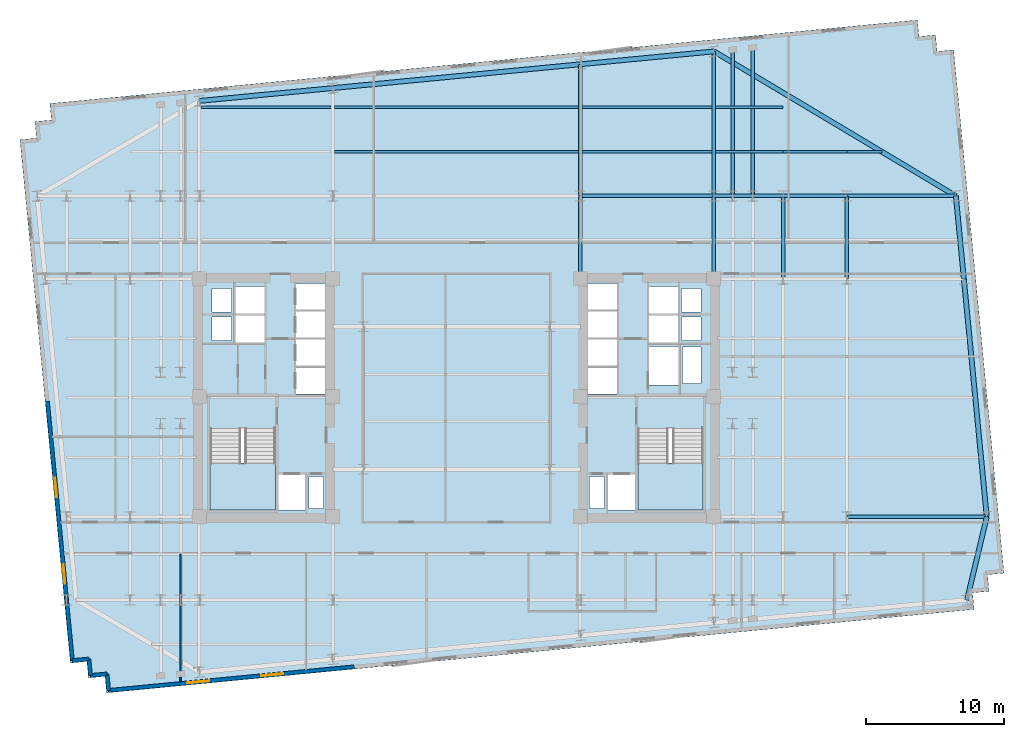
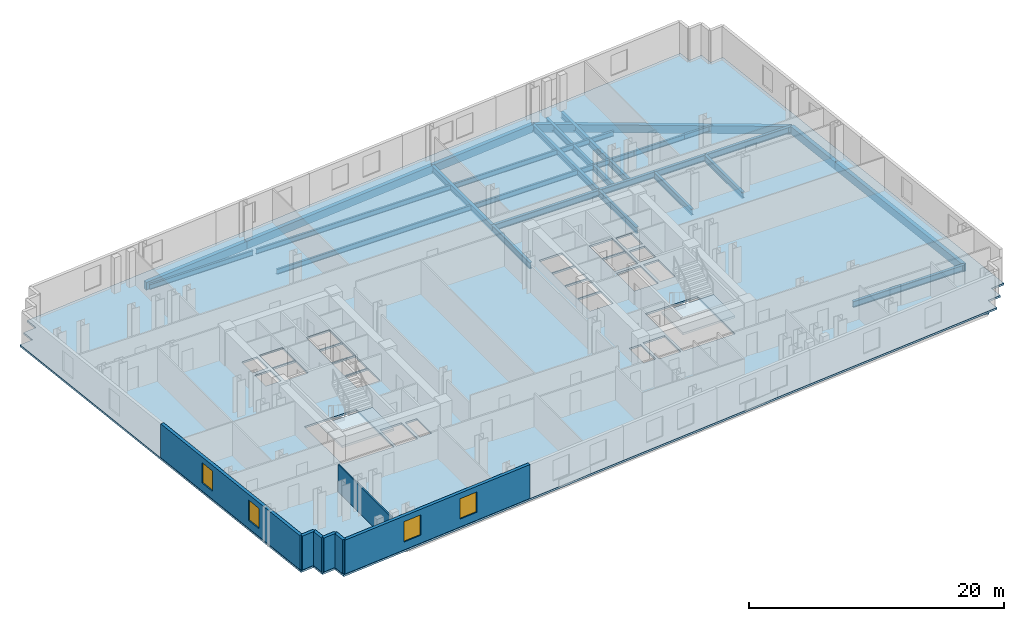
# One storey, part 3 of 10: 29 beams, 7 walls, 4 windows, 3 slabs, 4 openings, 2 elements without a shape of their own.
"""IFC4 building model written with IfcOpenShell, lengths in metres."""

from ifc_helpers import new_model, si_unit, direction, frame, frame_2d, origin, origin_2d, place, context, subcontext, project, spatial, polyline, rectangle, i_section, outline, extrude, material, layer, layer_set, material_profile, profile_set, type_object, element, fill, aggregate, save


model = new_model("IFC4")

# Units and contexts
model_context = context("Model", 3, precision=1e-05, world=origin(), true_north=direction((0.0, 1.0)))
body_context = subcontext(model_context, "Body", "Model", "MODEL_VIEW")
ifc_project = project(units=[si_unit("LENGTHUNIT", "METRE"), si_unit("AREAUNIT", "SQUARE_METRE"), si_unit("VOLUMEUNIT", "CUBIC_METRE"), si_unit("PLANEANGLEUNIT", "RADIAN"), si_unit("MASSUNIT", "GRAM", prefix="KILO")], contexts=[model_context])

# Site, building, storey
site_placement = place(None, origin())
site = spatial("IfcSite", under=ifc_project, at=site_placement, CompositionType="ELEMENT")
building_placement = place(site_placement, origin())
building = spatial("IfcBuilding", under=site, at=building_placement, Name="Velakula Bourse", CompositionType="ELEMENT")
storey_placement = place(building_placement, frame((0.0, 0.0, 91.449951171875)))
storey = spatial("IfcBuildingStorey", under=building, at=storey_placement, Name="L24", CompositionType="ELEMENT", Elevation=91.449951171875)

# Beams
ifc_material_1 = material(Name="Steel IS 2062 Grade 350 (E350)", Category="steel")
ifc_material_profile_1 = material_profile(ifc_material_1, i_section(OverallWidth=0.25, OverallDepth=0.60009765625, WebThickness=0.01171875, FlangeThickness=0.023681640625, at=origin_2d()), Name="Steel IS 2062 Grade 350 (E350)")
ifc_profile_set_1 = profile_set([ifc_material_profile_1], Name="Steel IS 2062 Grade 350 (E350)")
beam_type_1 = type_object("IfcBeamType", Name="BM-GRD-600H", PredefinedType="BEAM", material=ifc_profile_set_1)
for number, where, z_axis, x_axis, name in (
    (1, (8.949951171875, 8.60009765625, -0.47998046875), (0.0, 1.0, 0.0), (-1.0, 0.0, 0.0), "L24 Fulcrum Grid Girder FLC-ECN"),
    (2, (18.60009765625, 8.60009765625, -0.47998046875), (0.0, 1.0, 0.0), (-1.0, 0.0, 0.0), "L24 Fulcrum Grid Girder FLC-EN"),
):
    element("IfcBeam", number, at=place(storey_placement, frame(where, z_axis=z_axis, x_axis=x_axis)), inside=storey, type_object=beam_type_1, Name=name, PredefinedType="BEAM", context=body_context, shape_type="SweptSolid", body=[
        extrude(i_section(OverallWidth=0.25, OverallDepth=0.60009765625, WebThickness=0.01171875, FlangeThickness=0.023681640625, at=origin_2d()), origin(), (0.0, 0.0, 1.0), 6.0),
    ])
beam_1_placement = place(storey_placement, frame((8.949951171875, 14.60009765625, -0.47998046875), z_axis=(1.0, 0.0, 0.0), x_axis=(0.0, 1.0, 0.0)))
element("IfcBeam", 3, at=beam_1_placement, inside=storey, type_object=beam_type_1, Name="L24 Fulcrum Grid Girder FLC-N3", PredefinedType="BEAM", context=body_context, shape_type="SweptSolid", body=[
    extrude(i_section(OverallWidth=0.25, OverallDepth=0.60009765625, WebThickness=0.01171875, FlangeThickness=0.023681640625, at=origin_2d()), origin(), (0.0, 0.0, 1.0), 9.650146484375),
])
beam_2_placement = place(storey_placement, frame((18.60009765625, 14.60009765625, -0.47998046875), z_axis=(1.0, 0.0, 0.0), x_axis=(0.0, 1.0, 0.0)))
element("IfcBeam", 4, at=beam_2_placement, inside=storey, type_object=beam_type_1, Name="L24 Fulcrum Grid Girder MWG-EN2", PredefinedType="BEAM", context=body_context, shape_type="SweptSolid", body=[
    extrude(i_section(OverallWidth=0.25, OverallDepth=0.60009765625, WebThickness=0.01171875, FlangeThickness=0.023681640625, at=origin_2d()), origin(), (0.0, 0.0, 1.0), 5.0),
])
beam_3_placement = place(storey_placement, frame((23.60009765625, 8.60009765625, -0.47998046875), z_axis=(0.0, 1.0, 0.0), x_axis=(-1.0, 0.0, 0.0)))
element("IfcBeam", 5, at=beam_3_placement, inside=storey, type_object=beam_type_1, Name="L24 Fulcrum Grid Girder MWG-ENS3", PredefinedType="BEAM", context=body_context, shape_type="SweptSolid", body=[
    extrude(i_section(OverallWidth=0.25, OverallDepth=0.60009765625, WebThickness=0.01171875, FlangeThickness=0.023681640625, at=origin_2d()), origin(), (0.0, 0.0, 1.0), 6.0),
])
beam_4_placement = place(storey_placement, frame((23.60009765625, 14.60009765625, -0.47998046875), z_axis=(1.0, 0.0, 0.0), x_axis=(0.0, 1.0, 0.0)))
element("IfcBeam", 6, at=beam_4_placement, inside=storey, type_object=beam_type_1, Name="L24 Fulcrum Grid Girder WNG-EN2", PredefinedType="BEAM", context=body_context, shape_type="SweptSolid", body=[
    extrude(i_section(OverallWidth=0.25, OverallDepth=0.60009765625, WebThickness=0.01171875, FlangeThickness=0.023681640625, at=origin_2d()), origin(), (0.0, 0.0, 1.0), 4.599853515625),
])
beam_5_placement = place(storey_placement, frame((28.199951171875, 8.60009765625, -0.47998046875), z_axis=(0.0, 1.0, 0.0), x_axis=(-1.0, 0.0, 0.0)))
element("IfcBeam", 7, at=beam_5_placement, inside=storey, type_object=beam_type_1, Name="L24 Fulcrum Grid Girder WNG-ENS3", PredefinedType="BEAM", context=body_context, shape_type="SweptSolid", body=[
    extrude(i_section(OverallWidth=0.25, OverallDepth=0.60009765625, WebThickness=0.01171875, FlangeThickness=0.023681640625, at=origin_2d()), origin(), (0.0, 0.0, 1.0), 6.0),
])
beam_6_placement = place(storey_placement, frame((8.949951171875, 14.60009765625, -0.47998046875), z_axis=(0.0, 1.0, 0.0), x_axis=(-1.0, 0.0, 0.0)))
element("IfcBeam", 8, at=beam_6_placement, inside=storey, type_object=beam_type_1, Name="L24 Perimeter Tie Girder N3", PredefinedType="BEAM", context=body_context, shape_type="SweptSolid", body=[
    extrude(i_section(OverallWidth=0.25, OverallDepth=0.60009765625, WebThickness=0.01171875, FlangeThickness=0.023681640625, at=origin_2d()), origin(), (0.0, 0.0, 1.0), 9.521484375),
])
beam_7_placement = place(storey_placement, frame((18.60009765625, 14.60009765625, -0.47998046875), z_axis=(0.0, 1.0, 0.0), x_axis=(-1.0, 0.0, 0.0)))
element("IfcBeam", 9, at=beam_7_placement, inside=storey, type_object=beam_type_1, Name="L24 Perimeter Tie Girder N4", PredefinedType="BEAM", context=body_context, shape_type="SweptSolid", body=[
    extrude(i_section(OverallWidth=0.25, OverallDepth=0.60009765625, WebThickness=0.01171875, FlangeThickness=0.023681640625, at=origin_2d()), origin(), (0.0, 0.0, 1.0), 10.45068359375),
])
beam_8_placement = place(storey_placement, frame((28.199951171875, -8.60009765625, -0.47998046875), z_axis=(1.0, 0.0, 0.0), x_axis=(0.0, 1.0, 0.0)))
element("IfcBeam", 10, at=beam_8_placement, inside=storey, type_object=beam_type_1, Name="L24 Perimeter Tie Girder E2", PredefinedType="BEAM", context=body_context, shape_type="SweptSolid", body=[
    extrude(i_section(OverallWidth=0.25, OverallDepth=0.60009765625, WebThickness=0.01171875, FlangeThickness=0.023681640625, at=origin_2d()), origin(), (0.0, 0.0, 1.0), 10.119873046875),
])
beam_9_placement = place(storey_placement, frame((28.199951171875, 14.60009765625, -0.47998046875), z_axis=(1.0, 0.0, 0.0), x_axis=(0.0, 1.0, 0.0)))
element("IfcBeam", 11, at=beam_9_placement, inside=storey, type_object=beam_type_1, Name="L24 Perimeter Tie Girder E4", PredefinedType="BEAM", context=body_context, shape_type="SweptSolid", body=[
    extrude(i_section(OverallWidth=0.25, OverallDepth=0.60009765625, WebThickness=0.01171875, FlangeThickness=0.023681640625, at=origin_2d()), origin(), (0.0, 0.0, 1.0), 7.885986328125),
])
beam_10_placement = place(storey_placement, frame((19.949951171875, 14.60009765625, -0.47998046875), z_axis=(0.0, 1.0, 0.0), x_axis=(-1.0, 0.0, 0.0)))
element("IfcBeam", 12, at=beam_10_placement, inside=storey, type_object=beam_type_1, Name="L24 Perimeter Tie Girder P07", PredefinedType="BEAM", context=body_context, shape_type="SweptSolid", body=[
    extrude(i_section(OverallWidth=0.25, OverallDepth=0.60009765625, WebThickness=0.01171875, FlangeThickness=0.023681640625, at=origin_2d()), origin(), (0.0, 0.0, 1.0), 10.580810546875),
])
beam_11_placement = place(storey_placement, frame((21.39990234375, 14.60009765625, -0.47998046875), z_axis=(0.0, 1.0, 0.0), x_axis=(-1.0, 0.0, 0.0)))
element("IfcBeam", 13, at=beam_11_placement, inside=storey, type_object=beam_type_1, Name="L24 Perimeter Tie Girder P08", PredefinedType="BEAM", context=body_context, shape_type="SweptSolid", body=[
    extrude(i_section(OverallWidth=0.25, OverallDepth=0.60009765625, WebThickness=0.01171875, FlangeThickness=0.023681640625, at=origin_2d()), origin(), (0.0, 0.0, 1.0), 10.720458984375),
])
ifc_material_profile_2 = material_profile(ifc_material_1, i_section(OverallWidth=0.179931640625, OverallDepth=0.5, WebThickness=0.01025390625, FlangeThickness=0.01708984375, at=origin_2d()), Name="Steel IS 2062 Grade 350 (E350)")
ifc_profile_set_2 = profile_set([ifc_material_profile_2], Name="Steel IS 2062 Grade 350 (E350)")
beam_type_2 = type_object("IfcBeamType", Name="JST-TWR-500", PredefinedType="JOIST", material=ifc_profile_set_2)
beam_12_placement = place(storey_placement, frame((-8.824951171875, 17.800048828125, -0.429931640625), z_axis=(1.0, 0.0, 0.0), x_axis=(0.0, 1.0, 0.0)))
element("IfcBeam", 14, at=beam_12_placement, inside=storey, type_object=beam_type_2, Name="L24 Trading Floor Composite Joist 22", PredefinedType="JOIST", context=body_context, shape_type="SweptSolid", body=[
    extrude(i_section(OverallWidth=0.179931640625, OverallDepth=0.5, WebThickness=0.01025390625, FlangeThickness=0.01708984375, at=origin_2d()), origin(), (0.0, 0.0, 1.0), 17.64990234375),
])
beam_13_placement = place(storey_placement, frame((9.074951171875, 17.800048828125, -0.429931640625), z_axis=(1.0, 0.0, 0.0), x_axis=(0.0, 1.0, 0.0)))
element("IfcBeam", 15, at=beam_13_placement, inside=storey, type_object=beam_type_2, Name="L24 Trading Floor Composite Joist 23", PredefinedType="JOIST", context=body_context, shape_type="SweptSolid", body=[
    extrude(i_section(OverallWidth=0.179931640625, OverallDepth=0.5, WebThickness=0.01025390625, FlangeThickness=0.01708984375, at=origin_2d()), origin(), (0.0, 0.0, 1.0), 9.400146484375),
])
beam_14_placement = place(storey_placement, frame((18.72509765625, 17.800048828125, -0.429931640625), z_axis=(1.0, 0.0, 0.0), x_axis=(0.0, 1.0, 0.0)))
element("IfcBeam", 16, at=beam_14_placement, inside=storey, type_object=beam_type_2, Name="L24 Trading Floor Composite Joist 24", PredefinedType="JOIST", context=body_context, shape_type="SweptSolid", body=[
    extrude(i_section(OverallWidth=0.179931640625, OverallDepth=0.5, WebThickness=0.01025390625, FlangeThickness=0.01708984375, at=origin_2d()), origin(), (0.0, 0.0, 1.0), 4.875),
])
beam_15_placement = place(storey_placement, frame((23.60009765625, 17.800048828125, -0.429931640625), z_axis=(1.0, 0.0, 0.0), x_axis=(0.0, 1.0, 0.0)))
element("IfcBeam", 17, at=beam_15_placement, inside=storey, type_object=beam_type_2, Name="L24 Trading Floor Composite Joist 25", PredefinedType="JOIST", context=body_context, shape_type="SweptSolid", body=[
    extrude(i_section(OverallWidth=0.179931640625, OverallDepth=0.5, WebThickness=0.01025390625, FlangeThickness=0.01708984375, at=origin_2d()), origin(), (0.0, 0.0, 1.0), 4.599853515625),
])
beam_16_placement = place(storey_placement, frame((28.199951171875, 17.800048828125, -0.429931640625), z_axis=(1.0, 0.0, 0.0), x_axis=(0.0, 1.0, 0.0)))
element("IfcBeam", 18, at=beam_16_placement, inside=storey, type_object=beam_type_2, Name="L24 Trading Floor Composite Joist 26", PredefinedType="JOIST", context=body_context, shape_type="SweptSolid", body=[
    extrude(i_section(OverallWidth=0.179931640625, OverallDepth=0.5, WebThickness=0.01025390625, FlangeThickness=0.01708984375, at=origin_2d()), origin(), (0.0, 0.0, 1.0), 2.53173828125),
])
beam_17_placement = place(storey_placement, frame((-18.47509765625, 21.0, -0.429931640625), z_axis=(1.0, 0.0, 0.0), x_axis=(0.0, 1.0, 0.0)))
element("IfcBeam", 19, at=beam_17_placement, inside=storey, type_object=beam_type_2, Name="L24 Trading Floor Composite Joist 27", PredefinedType="JOIST", context=body_context, shape_type="SweptSolid", body=[
    extrude(i_section(OverallWidth=0.179931640625, OverallDepth=0.5, WebThickness=0.01025390625, FlangeThickness=0.01708984375, at=origin_2d()), origin(), (0.0, 0.0, 1.0), 9.400146484375),
])
beam_18_placement = place(storey_placement, frame((-8.824951171875, 21.0, -0.429931640625), z_axis=(1.0, 0.0, 0.0), x_axis=(0.0, 1.0, 0.0)))
element("IfcBeam", 20, at=beam_18_placement, inside=storey, type_object=beam_type_2, Name="L24 Trading Floor Composite Joist 28", PredefinedType="JOIST", context=body_context, shape_type="SweptSolid", body=[
    extrude(i_section(OverallWidth=0.179931640625, OverallDepth=0.5, WebThickness=0.01025390625, FlangeThickness=0.01708984375, at=origin_2d()), origin(), (0.0, 0.0, 1.0), 17.64990234375),
])
beam_19_placement = place(storey_placement, frame((9.074951171875, 21.0, -0.429931640625), z_axis=(1.0, 0.0, 0.0), x_axis=(0.0, 1.0, 0.0)))
element("IfcBeam", 21, at=beam_19_placement, inside=storey, type_object=beam_type_2, Name="L24 Trading Floor Composite Joist 29", PredefinedType="JOIST", context=body_context, shape_type="SweptSolid", body=[
    extrude(i_section(OverallWidth=0.179931640625, OverallDepth=0.5, WebThickness=0.01025390625, FlangeThickness=0.01708984375, at=origin_2d()), origin(), (0.0, 0.0, 1.0), 9.400146484375),
])
beam_20_placement = place(storey_placement, frame((18.72509765625, 21.0, -0.429931640625), z_axis=(1.0, 0.0, 0.0), x_axis=(0.0, 1.0, 0.0)))
element("IfcBeam", 22, at=beam_20_placement, inside=storey, type_object=beam_type_2, Name="L24 Trading Floor Composite Joist 30", PredefinedType="JOIST", context=body_context, shape_type="SweptSolid", body=[
    extrude(i_section(OverallWidth=0.179931640625, OverallDepth=0.5, WebThickness=0.01025390625, FlangeThickness=0.01708984375, at=origin_2d()), origin(), (0.0, 0.0, 1.0), 4.875),
])
ifc_material_2 = material(Name="Precast concrete M45 (fck 45 MPa)", Category="concrete")
ifc_material_profile_3 = material_profile(ifc_material_2, rectangle(XDim=0.35009765625, YDim=0.75, at=origin_2d()), Name="Precast concrete M45 (fck 45 MPa)")
ifc_profile_set_3 = profile_set([ifc_material_profile_3], Name="Precast concrete M45 (fck 45 MPa)")
beam_type_3 = type_object("IfcBeamType", Name="SPN-BRICK-750", PredefinedType="SPANDREL", material=ifc_profile_set_3)
beam_21_placement = place(storey_placement, frame((-18.60009765625, 21.468994140625, -0.554931640625), z_axis=(0.99539623971, 0.095845323155, 0.0), x_axis=(-0.095845323155, 0.99539623971, 0.0)))
element("IfcBeam", 23, at=beam_21_placement, inside=storey, type_object=beam_type_3, Name="L24 Brick-Faced Precast Spandrel N1-N2", PredefinedType="SPANDREL", context=body_context, shape_type="SweptSolid", body=[
    extrude(rectangle(XDim=0.35009765625, YDim=0.75, at=origin_2d()), origin(), (0.0, 0.0, 1.0), 9.69482421875),
])
beam_22_placement = place(storey_placement, frame((-8.949951171875, 22.398193359375, -0.554931640625), z_axis=(0.995397131467, 0.095836061418, 0.0), x_axis=(-0.095836061418, 0.995397131467, 0.0)))
element("IfcBeam", 24, at=beam_22_placement, inside=storey, type_object=beam_type_3, Name="L24 Brick-Faced Precast Spandrel N2-N3", PredefinedType="SPANDREL", context=body_context, shape_type="SweptSolid", body=[
    extrude(rectangle(XDim=0.35009765625, YDim=0.75, at=origin_2d()), origin(), (0.0, 0.0, 1.0), 17.982666015625),
])
beam_23_placement = place(storey_placement, frame((8.949951171875, 24.12158203125, -0.554931640625), z_axis=(0.99539623971, 0.095845323155, 0.0), x_axis=(-0.095845323155, 0.99539623971, 0.0)))
element("IfcBeam", 25, at=beam_23_placement, inside=storey, type_object=beam_type_3, Name="L24 Brick-Faced Precast Spandrel N3-N4", PredefinedType="SPANDREL", context=body_context, shape_type="SweptSolid", body=[
    extrude(rectangle(XDim=0.35009765625, YDim=0.75, at=origin_2d()), origin(), (0.0, 0.0, 1.0), 9.69482421875),
])
beam_24_placement = place(storey_placement, frame((36.88818359375, -14.60009765625, -0.554931640625), z_axis=(0.232091371601, 0.972693988482, 0.0), x_axis=(-0.972693988482, 0.232091371601, 0.0)))
element("IfcBeam", 26, at=beam_24_placement, inside=storey, type_object=beam_type_3, Name="L24 Brick-Faced Precast Spandrel E1-E2", PredefinedType="SPANDREL", context=body_context, shape_type="SweptSolid", body=[
    extrude(rectangle(XDim=0.35009765625, YDim=0.75, at=origin_2d()), origin(), (0.0, 0.0, 1.0), 6.16845703125),
])
beam_25_placement = place(storey_placement, frame((38.31982421875, -8.60009765625, -0.554931640625), z_axis=(-0.095849167925, 0.995395869495, 0.0), x_axis=(-0.995395869495, -0.095849167925, 0.0)))
element("IfcBeam", 27, at=beam_25_placement, inside=storey, type_object=beam_type_3, Name="L24 Brick-Faced Precast Spandrel E2-E3", PredefinedType="SPANDREL", context=body_context, shape_type="SweptSolid", body=[
    extrude(rectangle(XDim=0.35009765625, YDim=0.75, at=origin_2d()), origin(), (0.0, 0.0, 1.0), 17.27978515625),
])
beam_26_placement = place(storey_placement, frame((36.66357421875, 8.60009765625, -0.554931640625), z_axis=(-0.095829714309, 0.995397742541, 0.0), x_axis=(-0.995397742541, -0.095829714309, 0.0)))
element("IfcBeam", 28, at=beam_26_placement, inside=storey, type_object=beam_type_3, Name="L24 Brick-Faced Precast Spandrel E3-E4", PredefinedType="SPANDREL", context=body_context, shape_type="SweptSolid", body=[
    extrude(rectangle(XDim=0.35009765625, YDim=0.75, at=origin_2d()), origin(), (0.0, 0.0, 1.0), 6.02783203125),
])
beam_27_placement = place(storey_placement, frame((36.0859375, 14.60009765625, -0.554931640625), z_axis=(-0.858375715449, 0.513021569846, 0.0), x_axis=(-0.513021569846, -0.858375715449, 0.0)))
element("IfcBeam", 29, at=beam_27_placement, inside=storey, type_object=beam_type_3, Name="L24 Brick-Faced Precast Spandrel E4-N4", PredefinedType="SPANDREL", context=body_context, shape_type="SweptSolid", body=[
    extrude(rectangle(XDim=0.35009765625, YDim=0.75, at=origin_2d()), origin(), (0.0, 0.0, 1.0), 20.370849609375),
])

# Stair, slab
ifc_material_3 = material(Name="Concrete M45 (fck 45 MPa)", Category="concrete")
stair_type = type_object("IfcStairType", Name="STR-DOG-390", PredefinedType="HALF_TURN_STAIR", material=ifc_material_3)
stair_1_placement = place(storey_placement, origin())
stair_1 = element("IfcStair", 30, at=stair_1_placement, inside=storey, type_object=stair_type, Name="L24 West Core Exit Stair ST-W1", PredefinedType="HALF_TURN_STAIR")
ifc_layer_1 = layer(ifc_material_3, 0.199951171875, Name="Concrete M45 (fck 45 MPa)", Category="concrete")
ifc_layer_set_1 = layer_set([ifc_layer_1], Name="Concrete M45 (fck 45 MPa)")
slab_type_1 = type_object("IfcSlabType", Name="SLB-STAIR-LND-200", PredefinedType="LANDING", material=ifc_layer_set_1)
slab_1_placement = place(storey_placement, frame((0.0, 0.0, 1.525146484375)))
slab_1 = element("IfcSlab", 31, at=slab_1_placement, type_object=slab_type_1, Name="ST-W1 landing 1", PredefinedType="LANDING", context=body_context, shape_type="SweptSolid", body=[
    extrude(outline(polyline([(-17.820068359375, -4.719970703125), (-17.820068359375, -8.10009765625), (-13.10009765625, -8.10009765625), (-13.10009765625, -4.719970703125), (-17.820068359375, -4.719970703125)])), origin(), (0.0, 0.0, 1.0), 0.199951171875),
])
aggregate(stair_1, [slab_1])

stair_2_placement = place(storey_placement, origin())
stair_2 = element("IfcStair", 32, at=stair_2_placement, inside=storey, type_object=stair_type, Name="L24 East Core Exit Stair ST-E1", PredefinedType="HALF_TURN_STAIR")
slab_2_placement = place(storey_placement, frame((0.0, 0.0, 1.525146484375)))
slab_2 = element("IfcSlab", 33, at=slab_2_placement, type_object=slab_type_1, Name="ST-E1 landing 1", PredefinedType="LANDING", context=body_context, shape_type="SweptSolid", body=[
    extrude(outline(polyline([(13.10009765625, -4.719970703125), (13.10009765625, -8.10009765625), (17.820068359375, -8.10009765625), (17.820068359375, -4.719970703125), (13.10009765625, -4.719970703125)])), origin(), (0.0, 0.0, 1.0), 0.199951171875),
])
aggregate(stair_2, [slab_2])

# Slab
ifc_material_4 = material(Name="Concrete M50 (fck 50 MPa)", Category="concrete")
ifc_layer_2 = layer(ifc_material_4, 0.179931640625, Name="Concrete M50 (fck 50 MPa)", Category="concrete")
ifc_layer_set_2 = layer_set([ifc_layer_2], Name="Concrete M50 (fck 50 MPa)")
slab_type_2 = type_object("IfcSlabType", Name="SLB-TWR-180", PredefinedType="FLOOR", material=ifc_layer_set_2)
slab_3_placement = place(storey_placement, frame((0.0, 0.0, -0.179931640625)))
element("IfcSlab", 34, at=slab_3_placement, inside=storey, type_object=slab_type_2, Name="L24 Suspended Structural Floor Slab", PredefinedType="FLOOR", context=body_context, shape_type="SweptSolid", body=[
    extrude(outline(polyline([(-25.303955078125, -21.320556640625), (37.406005859375, -15.2822265625), (37.291015625, -14.087890625), (38.485595703125, -13.972900390625), (38.37060546875, -12.7783203125), (39.56494140625, -12.663330078125), (35.9228515625, 25.16162109375), (34.728271484375, 25.046630859375), (34.61328125, 26.2412109375), (33.4189453125, 26.126220703125), (33.303955078125, 27.320556640625), (-29.406005859375, 21.2822265625), (-29.291015625, 20.087890625), (-30.485595703125, 19.972900390625), (-30.37060546875, 18.7783203125), (-31.56494140625, 18.663330078125), (-27.9228515625, -19.16162109375), (-26.728271484375, -19.046630859375), (-26.61328125, -20.2412109375), (-25.4189453125, -20.126220703125), (-25.303955078125, -21.320556640625)]), holes=[polyline([(-17.820068359375, -8.10009765625), (-13.10009765625, -8.10009765625), (-13.10009765625, -2.199951171875), (-17.820068359375, -2.199951171875), (-17.820068359375, -8.10009765625)]), polyline([(13.10009765625, -8.10009765625), (17.820068359375, -8.10009765625), (17.820068359375, -2.199951171875), (13.10009765625, -2.199951171875), (13.10009765625, -8.10009765625)]), polyline([(-12.89990234375, -8.10009765625), (-10.949951171875, -8.10009765625), (-10.949951171875, -5.550048828125), (-12.89990234375, -5.550048828125), (-12.89990234375, -8.10009765625)]), polyline([(10.949951171875, -8.10009765625), (12.89990234375, -8.10009765625), (12.89990234375, -5.550048828125), (10.949951171875, -5.550048828125), (10.949951171875, -8.10009765625)]), polyline([(13.89990234375, 0.919921875), (16.050048828125, 0.919921875), (16.050048828125, 3.719970703125), (13.89990234375, 3.719970703125), (13.89990234375, 0.919921875)]), polyline([(-10.679931640625, -7.97998046875), (-9.6201171875, -7.97998046875), (-9.6201171875, -5.669921875), (-10.679931640625, -5.669921875), (-10.679931640625, -7.97998046875)]), polyline([(-17.679931640625, 4.139892578125), (-16.27001953125, 4.139892578125), (-16.27001953125, 5.85009765625), (-17.679931640625, 5.85009765625), (-17.679931640625, 4.139892578125)]), polyline([(-17.679931640625, 6.2099609375), (-16.27001953125, 6.2099609375), (-16.27001953125, 7.919921875), (-17.679931640625, 7.919921875), (-17.679931640625, 6.2099609375)]), polyline([(9.6201171875, -7.97998046875), (10.679931640625, -7.97998046875), (10.679931640625, -5.669921875), (9.6201171875, -5.669921875), (9.6201171875, -7.97998046875)]), polyline([(16.27001953125, 4.139892578125), (17.679931640625, 4.139892578125), (17.679931640625, 5.85009765625), (16.27001953125, 5.85009765625), (16.27001953125, 4.139892578125)]), polyline([(16.27001953125, 6.2099609375), (17.679931640625, 6.2099609375), (17.679931640625, 7.919921875), (16.27001953125, 7.919921875), (16.27001953125, 6.2099609375)]), polyline([(16.320068359375, 1.0400390625), (17.679931640625, 1.0400390625), (17.679931640625, 3.699951171875), (16.320068359375, 3.699951171875), (16.320068359375, 1.0400390625)]), polyline([(-11.60009765625, 0.280029296875), (-9.5, 0.280029296875), (-9.5, 2.199951171875), (-11.60009765625, 2.199951171875), (-11.60009765625, 0.280029296875)]), polyline([(-11.60009765625, 2.31005859375), (-9.5, 2.31005859375), (-9.5, 4.22998046875), (-11.60009765625, 4.22998046875), (-11.60009765625, 2.31005859375)]), polyline([(-11.60009765625, 4.340087890625), (-9.5, 4.340087890625), (-9.5, 6.260009765625), (-11.60009765625, 6.260009765625), (-11.60009765625, 4.340087890625)]), polyline([(-11.60009765625, 6.3701171875), (-9.5, 6.3701171875), (-9.5, 8.2900390625), (-11.60009765625, 8.2900390625), (-11.60009765625, 6.3701171875)]), polyline([(9.5, 0.280029296875), (11.60009765625, 0.280029296875), (11.60009765625, 2.199951171875), (9.5, 2.199951171875), (9.5, 0.280029296875)]), polyline([(9.5, 2.31005859375), (11.60009765625, 2.31005859375), (11.60009765625, 4.22998046875), (9.5, 4.22998046875), (9.5, 2.31005859375)]), polyline([(9.5, 4.340087890625), (11.60009765625, 4.340087890625), (11.60009765625, 6.260009765625), (9.5, 6.260009765625), (9.5, 4.340087890625)]), polyline([(9.5, 6.3701171875), (11.60009765625, 6.3701171875), (11.60009765625, 8.2900390625), (9.5, 8.2900390625), (9.5, 6.3701171875)]), polyline([(-16.0, 4.02001953125), (-13.89990234375, 4.02001953125), (-13.89990234375, 5.969970703125), (-16.0, 5.969970703125), (-16.0, 4.02001953125)]), polyline([(-16.0, 6.090087890625), (-13.89990234375, 6.090087890625), (-13.89990234375, 8.0400390625), (-16.0, 8.0400390625), (-16.0, 6.090087890625)]), polyline([(13.89990234375, 4.02001953125), (16.0, 4.02001953125), (16.0, 5.969970703125), (13.89990234375, 5.969970703125), (13.89990234375, 4.02001953125)]), polyline([(13.89990234375, 6.090087890625), (16.0, 6.090087890625), (16.0, 8.0400390625), (13.89990234375, 8.0400390625), (13.89990234375, 6.090087890625)])]), origin(), (0.0, 0.0, 1.0), 0.179931640625),
])

# Wall, openings, windows
ifc_material_5 = material(Name="Red kilned clay facing brick masonry", Category="masonry")
ifc_layer_3 = layer(ifc_material_5, 0.280029296875, Name="Red kilned clay facing brick masonry", Category="masonry")
ifc_layer_set_3 = layer_set([ifc_layer_3], Name="Red kilned clay facing brick masonry")
wall_type_1 = type_object("IfcWallType", Name="WL-EXT-BRK-280", PredefinedType="STANDARD", material=ifc_layer_set_3)
wall_1_placement = place(storey_placement, frame((-7.402099609375, -19.43603515625, 0.0), z_axis=(0.0, 0.0, 1.0), x_axis=(-0.995395780835, -0.095850088663, 0.0)))
wall_1 = element("IfcWall", 35, at=wall_1_placement, inside=storey, type_object=wall_type_1, Name="L24 S Brick Spandrel Wall B1", PredefinedType="STANDARD", context=body_context, shape_type="SweptSolid", body=[
    extrude(rectangle(XDim=17.83984375, YDim=0.280029296875, at=frame_2d((8.919921875, 0.0))), origin(), (0.0, 0.0, 1.0), 3.25),
])
opening_1_placement = place(wall_1_placement, frame((5.146728515625, 0.0, 0.760009765625)))
opening_1 = element("IfcOpeningElement", 36, at=opening_1_placement, cuts=wall_1, Name="Opening W-02", PredefinedType="OPENING", context=body_context, shape_type="SweptSolid", body=[
    extrude(rectangle(XDim=1.60009765625, YDim=1.949951171875, at=frame_2d((0.800048828125, 0.97509765625))), frame((0.0, 0.14990234375, 0.0), z_axis=(0.0, -1.0, 0.0), x_axis=(1.0, 0.0, 0.0)), (0.0, 0.0, 1.0), 0.300048828125),
])
opening_2_placement = place(wall_1_placement, frame((10.543212890625, 0.0, 0.760009765625)))
opening_2 = element("IfcOpeningElement", 37, at=opening_2_placement, cuts=wall_1, Name="Opening W-02", PredefinedType="OPENING", context=body_context, shape_type="SweptSolid", body=[
    extrude(rectangle(XDim=1.60009765625, YDim=1.949951171875, at=frame_2d((0.800048828125, 0.97509765625))), frame((0.0, 0.14990234375, 0.0), z_axis=(0.0, -1.0, 0.0), x_axis=(1.0, 0.0, 0.0)), (0.0, 0.0, 1.0), 0.300048828125),
])
ifc_material_6 = material(Name="Double-glazed solar-control Low-E glass", Category="glass")
window_type_1 = type_object("IfcWindowType", Name="WIN-TWR-1600x2100", PartitioningType="SINGLE_PANEL", PredefinedType="WINDOW", material=ifc_material_6)
window_1_placement = place(opening_1_placement, origin())
window_1 = element("IfcWindow", 38, at=window_1_placement, inside=storey, type_object=window_type_1, Name="L24 Deep-Set Recessed Window 1", OverallHeight=1.949951171875, OverallWidth=1.60009765625, PartitioningType="SINGLE_PANEL", PredefinedType="WINDOW", context=body_context, shape_type="SweptSolid", body=[
    extrude(rectangle(XDim=1.60009765625, YDim=1.949951171875, at=frame_2d((0.800048828125, 0.97509765625))), frame((0.0, 0.030029296875, 0.0), z_axis=(0.0, -1.0, 0.0), x_axis=(1.0, 0.0, 0.0)), (0.0, 0.0, 1.0), 0.06005859375),
])
fill(opening_1, window_1)
window_2_placement = place(opening_2_placement, origin())
window_2 = element("IfcWindow", 39, at=window_2_placement, inside=storey, type_object=window_type_1, Name="L24 Deep-Set Recessed Window 2", OverallHeight=1.949951171875, OverallWidth=1.60009765625, PartitioningType="SINGLE_PANEL", PredefinedType="WINDOW", context=body_context, shape_type="SweptSolid", body=[
    extrude(rectangle(XDim=1.60009765625, YDim=1.949951171875, at=frame_2d((0.800048828125, 0.97509765625))), frame((0.0, 0.030029296875, 0.0), z_axis=(0.0, -1.0, 0.0), x_axis=(1.0, 0.0, 0.0)), (0.0, 0.0, 1.0), 0.06005859375),
])
fill(opening_2, window_2)

wall_2_placement = place(storey_placement, frame((-27.779052734375, -18.987060546875, 0.0), z_axis=(0.0, 0.0, 1.0), x_axis=(-0.095842534142, 0.995396508256, 0.0)))
wall_2 = element("IfcWall", 40, at=wall_2_placement, inside=storey, type_object=wall_type_1, Name="L24 W Brick End Wall W1", PredefinedType="STANDARD", context=body_context, shape_type="SweptSolid", body=[
    extrude(rectangle(XDim=18.83984375, YDim=0.280029296875, at=frame_2d((9.419921875, 0.0))), origin(), (0.0, 0.0, 1.0), 3.25),
])
opening_3_placement = place(wall_2_placement, frame((5.580078125, 0.0, 0.760009765625)))
opening_3 = element("IfcOpeningElement", 41, at=opening_3_placement, cuts=wall_2, Name="Opening W-03", PredefinedType="OPENING", context=body_context, shape_type="SweptSolid", body=[
    extrude(rectangle(XDim=1.39990234375, YDim=1.949951171875, at=frame_2d((0.699951171875, 0.97509765625))), frame((0.0, 0.14990234375, 0.0), z_axis=(0.0, -1.0, 0.0), x_axis=(1.0, 0.0, 0.0)), (0.0, 0.0, 1.0), 0.300048828125),
])
opening_4_placement = place(wall_2_placement, frame((11.860107421875, 0.0, 0.760009765625)))
opening_4 = element("IfcOpeningElement", 42, at=opening_4_placement, cuts=wall_2, Name="Opening W-03", PredefinedType="OPENING", context=body_context, shape_type="SweptSolid", body=[
    extrude(rectangle(XDim=1.39990234375, YDim=1.949951171875, at=frame_2d((0.699951171875, 0.97509765625))), frame((0.0, 0.14990234375, 0.0), z_axis=(0.0, -1.0, 0.0), x_axis=(1.0, 0.0, 0.0)), (0.0, 0.0, 1.0), 0.300048828125),
])
window_type_2 = type_object("IfcWindowType", Name="WIN-TWR-1400x2100", PartitioningType="SINGLE_PANEL", PredefinedType="WINDOW", material=ifc_material_6)
window_3_placement = place(opening_3_placement, origin())
window_3 = element("IfcWindow", 43, at=window_3_placement, inside=storey, type_object=window_type_2, Name="L24 Deep-Set Recessed Window 1", OverallHeight=1.949951171875, OverallWidth=1.39990234375, PartitioningType="SINGLE_PANEL", PredefinedType="WINDOW", context=body_context, shape_type="SweptSolid", body=[
    extrude(rectangle(XDim=1.39990234375, YDim=1.949951171875, at=frame_2d((0.699951171875, 0.97509765625))), frame((0.0, 0.030029296875, 0.0), z_axis=(0.0, -1.0, 0.0), x_axis=(1.0, 0.0, 0.0)), (0.0, 0.0, 1.0), 0.06005859375),
])
fill(opening_3, window_3)
window_4_placement = place(opening_4_placement, origin())
window_4 = element("IfcWindow", 44, at=window_4_placement, inside=storey, type_object=window_type_2, Name="L24 Deep-Set Recessed Window 2", OverallHeight=1.949951171875, OverallWidth=1.39990234375, PartitioningType="SINGLE_PANEL", PredefinedType="WINDOW", context=body_context, shape_type="SweptSolid", body=[
    extrude(rectangle(XDim=1.39990234375, YDim=1.949951171875, at=frame_2d((0.699951171875, 0.97509765625))), frame((0.0, 0.030029296875, 0.0), z_axis=(0.0, -1.0, 0.0), x_axis=(1.0, 0.0, 0.0)), (0.0, 0.0, 1.0), 0.06005859375),
])
fill(opening_4, window_4)

# Walls
for number, where, z_axis, x_axis, name in (
    (45, (-27.779052734375, -18.987060546875, 0.0), (0.0, 0.0, 1.0), (0.995398960025, 0.095817067274, 0.0), "L24 Serrated Corner Brick Wall SW-1"),
    (46, (-26.58447265625, -18.8720703125, 0.0), (0.0, 0.0, 1.0), (0.095817067274, -0.995398960025, 0.0), "L24 Serrated Corner Brick Wall SW-2"),
    (47, (-26.469482421875, -20.066650390625, 0.0), (0.0, 0.0, 1.0), (0.995398960025, 0.095817067274, 0.0), "L24 Serrated Corner Brick Wall SW-3"),
):
    element("IfcWall", number, at=place(storey_placement, frame(where, z_axis=z_axis, x_axis=x_axis)), inside=storey, type_object=wall_type_1, Name=name, PredefinedType="STANDARD", context=body_context, shape_type="SweptSolid", body=[
        extrude(rectangle(XDim=1.2001953125, YDim=0.280029296875, at=frame_2d((0.60009765625, 0.0))), origin(), (0.0, 0.0, 1.0), 3.25),
    ])
wall_3_placement = place(storey_placement, frame((-25.27490234375, -19.95166015625, 0.0), z_axis=(0.0, 0.0, 1.0), x_axis=(0.095836473879, -0.995397091755, 0.0)))
element("IfcWall", 48, at=wall_3_placement, inside=storey, type_object=wall_type_1, Name="L24 Serrated Corner Brick Wall SW-4", PredefinedType="STANDARD", context=body_context, shape_type="SweptSolid", body=[
    extrude(rectangle(XDim=1.199951171875, YDim=0.280029296875, at=frame_2d((0.60009765625, 0.0))), origin(), (0.0, 0.0, 1.0), 3.25),
])
ifc_material_7 = material(Name="Fire-rated double-layer gypsum drywall partition", Category="gypsum")
ifc_layer_4 = layer(ifc_material_7, 0.1201171875, Name="Fire-rated double-layer gypsum drywall partition", Category="gypsum")
ifc_layer_set_4 = layer_set([ifc_layer_4], Name="Fire-rated double-layer gypsum drywall partition")
wall_type_2 = type_object("IfcWallType", Name="WL-PART-120", PredefinedType="STANDARD", material=ifc_layer_set_4)
wall_4_placement = place(storey_placement, frame((-19.9541015625, -20.524169921875, 0.0), z_axis=(0.0, 0.0, 1.0), x_axis=(0.0, 1.0, 0.0)))
element("IfcWall", 49, at=wall_4_placement, inside=storey, type_object=wall_type_2, Name="L24 Interior Partition WL-INT-L24-SL-D5", PredefinedType="STANDARD", context=body_context, shape_type="SweptSolid", body=[
    extrude(rectangle(XDim=9.234130859375, YDim=0.1201171875, at=frame_2d((4.6171875, 0.0))), origin(), (0.0, 0.0, 1.0), 2.64501953125),
])

save(model, "model.ifc")
